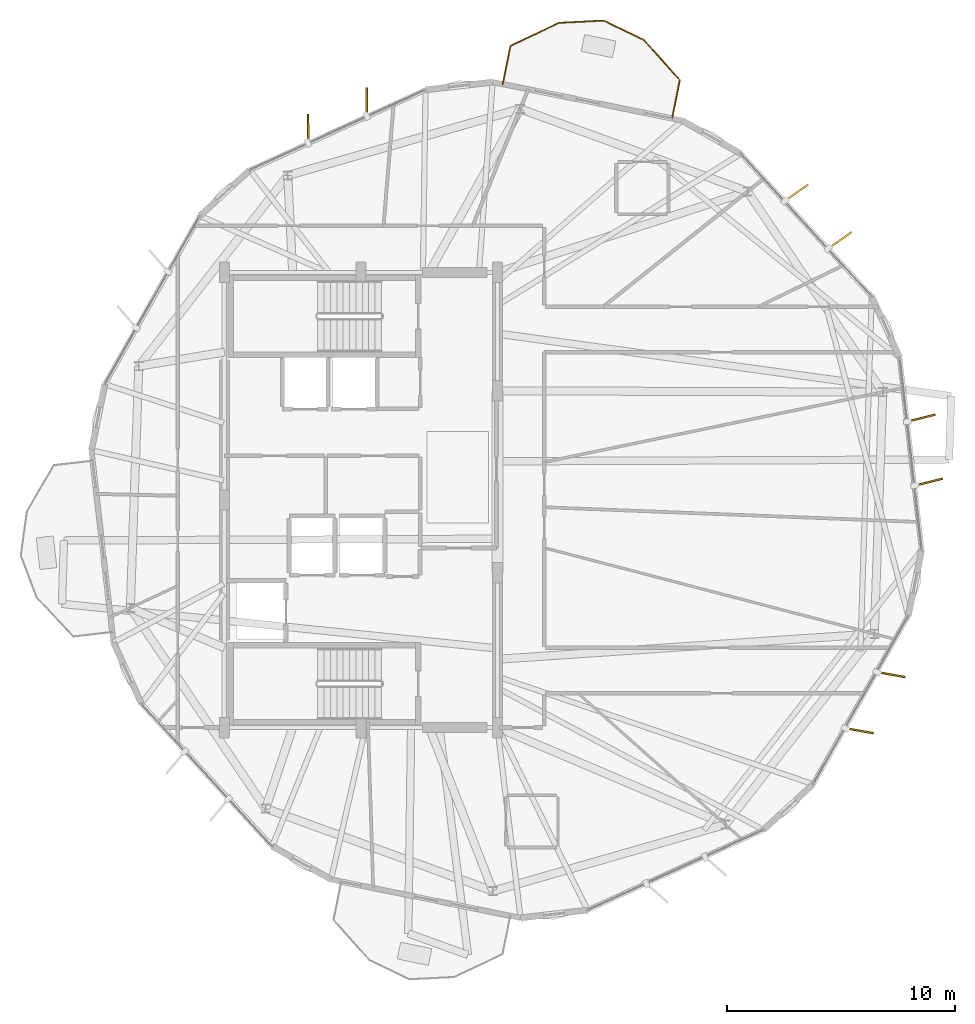
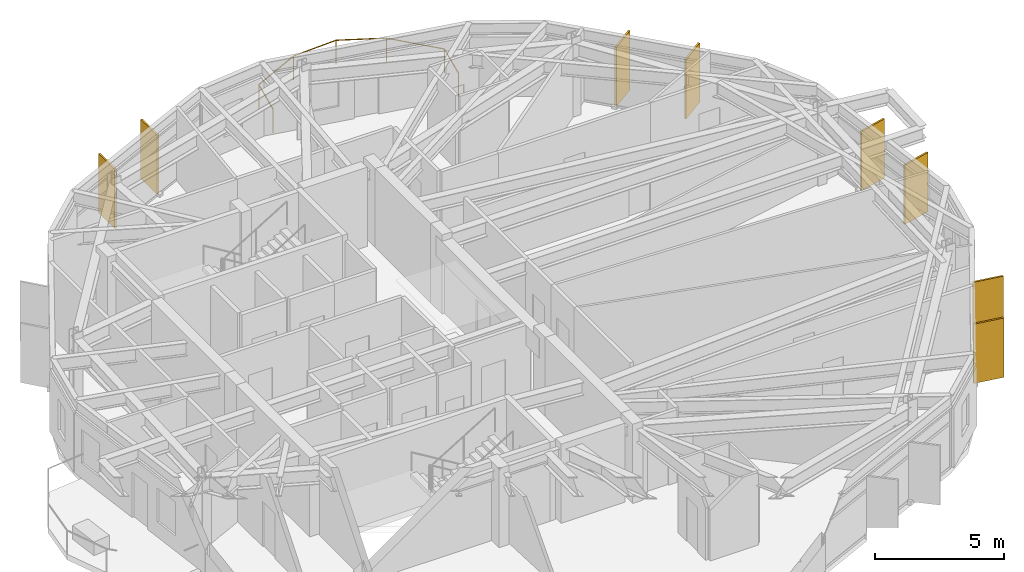
# One storey, part 23 of 23: 8 shading devices, 1 railing.
"""IFC4 building model written with IfcOpenShell, lengths in metres."""

from ifc_helpers import new_model, si_unit, direction, frame, origin, origin_2d, place, context, subcontext, project, spatial, rectangle, circle, extrude, material, layer, layer_set, type_object, element, save


model = new_model("IFC4")

# Units and contexts
model_context = context("Model", 3, precision=1e-05, world=origin(), true_north=direction((0.0, 1.0)))
body_context = subcontext(model_context, "Body", "Model", "MODEL_VIEW")
ifc_project = project(units=[si_unit("LENGTHUNIT", "METRE"), si_unit("AREAUNIT", "SQUARE_METRE"), si_unit("VOLUMEUNIT", "CUBIC_METRE"), si_unit("PLANEANGLEUNIT", "RADIAN"), si_unit("MASSUNIT", "GRAM", prefix="KILO")], contexts=[model_context])

# Site, building, storey
site_placement = place(None, origin())
site = spatial("IfcSite", under=ifc_project, at=site_placement, CompositionType="ELEMENT")
building_placement = place(site_placement, origin())
building = spatial("IfcBuilding", under=site, at=building_placement, Name="Soratama Intermodal Tower", CompositionType="ELEMENT")
storey_placement = place(building_placement, frame((0.0, 0.0, 261.25)))
storey = spatial("IfcBuildingStorey", under=building, at=storey_placement, Name="L66", CompositionType="ELEMENT", Elevation=261.25)

# Railing
ifc_material_1 = material(Name="Laminated glass and stainless steel balustrade", Category="steel")
railing_type = type_object("IfcRailingType", Name="RL-BAL-1150", PredefinedType="BALUSTRADE", material=ifc_material_1)
railing_placement = place(storey_placement, frame((44.828369140625, 43.2783203125, 0.0)))
element("IfcRailing", 1, at=railing_placement, inside=storey, type_object=railing_type, Name="L66 Balcony Balustrade 1", PredefinedType="BALUSTRADE", context=body_context, shape_type="SweptSolid", body=[
    extrude(circle(Radius=0.02392578125, at=origin_2d()), frame((0.0, 0.0, 1.1259765625), z_axis=(0.198708485999, 0.980058639874, 0.0), x_axis=(-0.980058639874, 0.198708485999, 0.0)), (0.0, 0.0, 1.0), 1.719970703125),
    extrude(circle(Radius=0.02392578125, at=origin_2d()), frame((0.341796875, 1.685791015625, 1.1259765625), z_axis=(0.90465280477, 0.426149390263, 0.0), x_axis=(-0.426149390263, 0.90465280477, 0.0)), (0.0, 0.0, 1.0), 2.368896484375),
    extrude(circle(Radius=0.02392578125, at=origin_2d()), frame((2.48486328125, 2.6953125, 1.1259765625), z_axis=(0.998759160097, 0.04980100524, 0.0), x_axis=(-0.04980100524, 0.998759160097, 0.0)), (0.0, 0.0, 1.0), 1.9609375),
    extrude(circle(Radius=0.02392578125, at=origin_2d()), frame((4.443359375, 2.79296875, 1.1259765625), z_axis=(0.900469252712, -0.4349196764, 0.0), x_axis=(0.4349196764, 0.900469252712, 0.0)), (0.0, 0.0, 1.0), 1.960693359375),
    extrude(circle(Radius=0.02392578125, at=origin_2d()), frame((6.208984375, 1.940185546875, 1.1259765625), z_axis=(0.667351935857, -0.744742501612, 0.0), x_axis=(0.744742501612, 0.667351935857, 0.0)), (0.0, 0.0, 1.0), 2.369140625),
    extrude(circle(Radius=0.02392578125, at=origin_2d()), frame((7.7900390625, 0.17578125, 1.1259765625), z_axis=(-0.198708485999, -0.980058639874, 0.0), x_axis=(0.980058639874, -0.198708485999, 0.0)), (0.0, 0.0, 1.0), 1.719970703125),
    extrude(circle(Radius=0.02099609375, at=origin_2d()), origin(), (0.0, 0.0, 1.0), 1.101806640625),
    extrude(circle(Radius=0.02099609375, at=origin_2d()), frame((0.341796875, 1.685791015625, 0.0)), (0.0, 0.0, 1.0), 1.101806640625),
    extrude(circle(Radius=0.02099609375, at=origin_2d()), frame((2.48486328125, 2.6953125, 0.0)), (0.0, 0.0, 1.0), 1.101806640625),
    extrude(circle(Radius=0.02099609375, at=origin_2d()), frame((4.443359375, 2.79296875, 0.0)), (0.0, 0.0, 1.0), 1.101806640625),
    extrude(circle(Radius=0.02099609375, at=origin_2d()), frame((6.208984375, 1.940185546875, 0.0)), (0.0, 0.0, 1.0), 1.101806640625),
    extrude(circle(Radius=0.02099609375, at=origin_2d()), frame((7.7900390625, 0.17578125, 0.0)), (0.0, 0.0, 1.0), 1.101806640625),
    extrude(circle(Radius=0.02099609375, at=origin_2d()), frame((7.4482421875, -1.510009765625, 0.0)), (0.0, 0.0, 1.0), 1.101806640625),
])

# Shading devices
ifc_material_2 = material(Name="Champagne anodised aluminium solar fin", Category="aluminium")
ifc_layer = layer(ifc_material_2, 0.080078125)
ifc_layer_set = layer_set([ifc_layer], Name="Champagne anodised aluminium solar fin")
shading_device_type = type_object("IfcShadingDeviceType", Name="SH-FIN-1250", PredefinedType="USERDEFINED", material=ifc_layer_set)
for number, where, z_axis, x_axis, name in (
    (2, (38.856689453125, 42.498046875, 0.02001953125), (0.0, 0.0, 1.0), (-0.009424638433, 0.999955587109, 0.0), "L66 Solar Fin F02-1"),
    (3, (36.279296875, 41.3212890625, 0.02001953125), (0.0, 0.0, 1.0), (-0.009424638433, 0.999955587109, 0.0), "L66 Solar Fin F02-2"),
    (4, (60.50634765625, 14.860595703125, 0.02001953125), (0.0, 0.0, 1.0), (0.984686283733, -0.174335660806, 0.0), "L66 Solar Fin F08-1"),
    (5, (61.89990234375, 17.327392578125, 0.02001953125), (0.0, 0.0, 1.0), (0.984686283733, -0.174335660806, 0.0), "L66 Solar Fin F08-2"),
    (6, (63.55078125, 25.78466796875, 0.02001953125), (0.0, 0.0, 1.0), (0.970464383152, 0.241244442494, 0.0), "L66 Solar Fin F09-1"),
    (7, (63.22802734375, 28.599609375, 0.02001953125), (0.0, 0.0, 1.0), (0.970464383152, 0.241244442494, 0.0), "L66 Solar Fin F09-2"),
    (8, (59.659423828125, 36.416015625, 0.02001953125), (0.0, 0.0, 1.0), (0.817948952887, 0.575290805133, 0.0), "L66 Solar Fin F10-1"),
    (9, (57.743896484375, 38.50341796875, 0.02001953125), (0.0, 0.0, 1.0), (0.817948952887, 0.575290805133, 0.0), "L66 Solar Fin F10-2"),
):
    element("IfcShadingDevice", number, at=place(storey_placement, frame(where, z_axis=z_axis, x_axis=x_axis)), inside=storey, type_object=shading_device_type, Name=name, ObjectType="FIN", PredefinedType="USERDEFINED", context=body_context, shape_type="SweptSolid", body=[
        extrude(rectangle(XDim=1.25, YDim=0.080078125, at=origin_2d()), origin(), (0.0, 0.0, 1.0), 2.80908203125),
    ])

save(model, "model.ifc")
